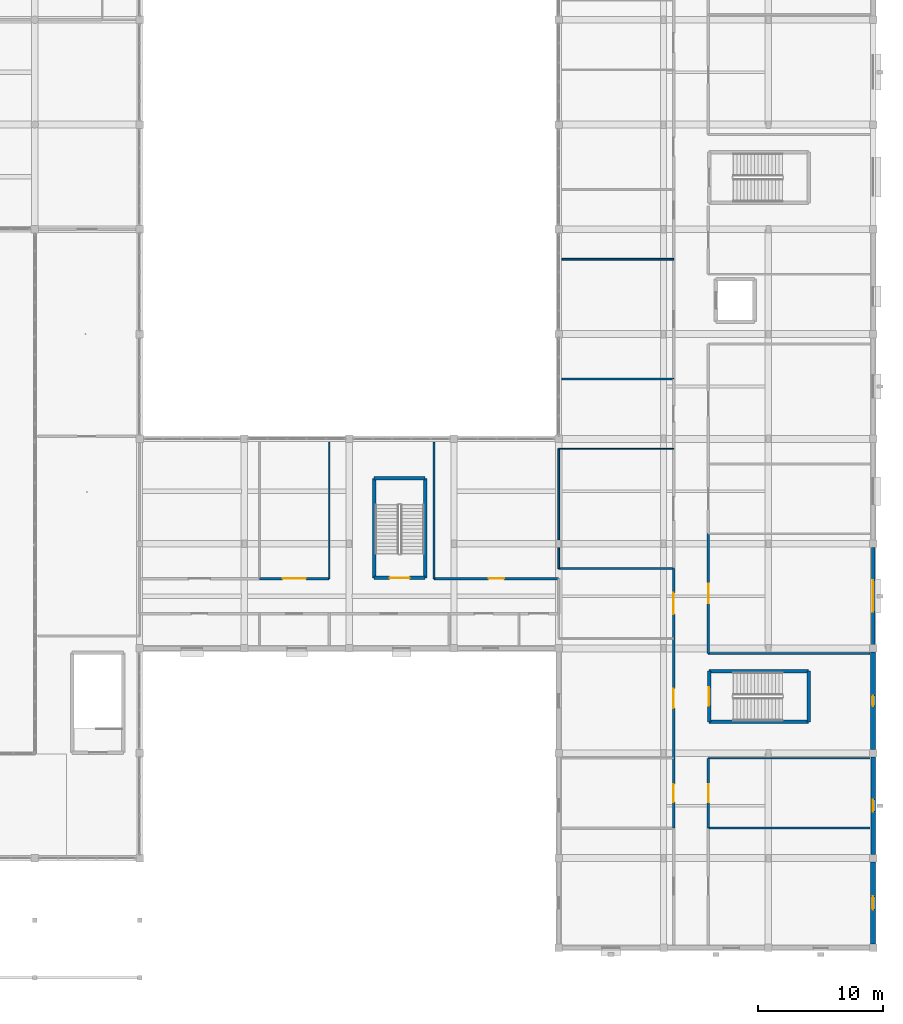
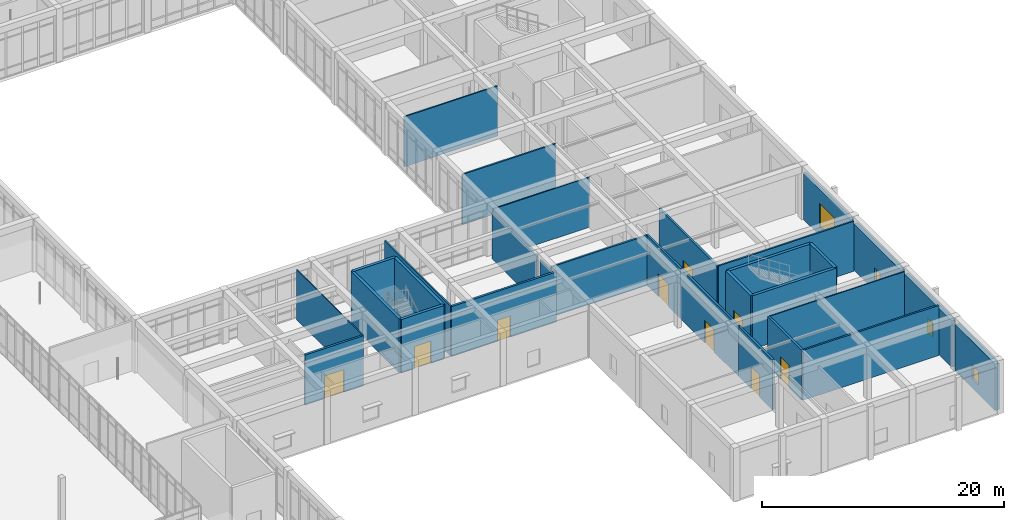
# One storey, part 90 of 157: 30 walls, 9 doors, 4 windows, 13 openings.
"""IFC4 building model written with IfcOpenShell, lengths in metres."""

import ifcopenshell
import ifcopenshell.guid

model = None  # the IFC model being written
_history = None  # IfcOwnerHistory: only IFC2X3 demands one
_inside = {}  # id of a spatial element -> (the spatial element, [elements in it])
_under = {}  # id of a project, library or spatial element -> (it, [spatial elements below it])
_declared = {}  # id of a project -> (the project, [libraries it declares])
_typed = {}  # id of a type object -> (the type object, [elements of that type])
_made_of = {}  # id of a material, layer set ... -> (it, [elements and type objects made of it])


def new_model(schema):
    """Start an empty IFC model of exactly this schema.

    Asked for "IFC4X3", IfcOpenShell would pick the latest addendum, in which some entities
    have other attributes; the version numbers below select the first issue.
    IFC2X3 requires an IfcOwnerHistory on every rooted entity: one is made here for all.
    """
    global model, _history
    if schema == "IFC4X3":
        model = ifcopenshell.file(schema_version=(4, 3, 0, 0))
    else:
        model = ifcopenshell.file(schema=schema)
    _inside.clear()
    _under.clear()
    _declared.clear()
    _typed.clear()
    _made_of.clear()
    _history = None
    if model.schema == "IFC2X3":
        org = make("IfcOrganization", Name="unknown")
        user = make(
            "IfcPersonAndOrganization",
            ThePerson=make("IfcPerson", FamilyName="unknown"),
            TheOrganization=org,
        )
        app = make(
            "IfcApplication",
            ApplicationDeveloper=org,
            Version="unknown",
            ApplicationFullName="unknown",
            ApplicationIdentifier="unknown",
        )
        _history = make(
            "IfcOwnerHistory",
            OwningUser=user,
            OwningApplication=app,
            ChangeAction="ADDED",
            CreationDate=0,
        )
    return model


def make(cls, **values):
    """One entity of the class cls with the attributes given. An attribute that is None is left unset."""
    return model.create_entity(
        cls, **{name: value for name, value in values.items() if value is not None}
    )


def rooted(cls, **values):
    """An entity with a GlobalId (a new one), such as an element, a storey or a relation."""
    return make(cls, GlobalId=ifcopenshell.guid.new(), OwnerHistory=_history, **values)


def si_unit(unit_type, name, prefix=None):
    """IfcSIUnit, for example si_unit("LENGTHUNIT", "METRE", prefix="MILLI")."""
    return make("IfcSIUnit", UnitType=unit_type, Prefix=prefix, Name=name)


def assignment(units):
    """IfcUnitAssignment: the units of a project."""
    return None if units is None else make("IfcUnitAssignment", Units=units)


def point(xyz):
    """IfcCartesianPoint."""
    return None if xyz is None else make("IfcCartesianPoint", Coordinates=xyz)


def direction(xyz):
    """IfcDirection."""
    return None if xyz is None else make("IfcDirection", DirectionRatios=xyz)


def frame(location, z_axis=None, x_axis=None):
    """IfcAxis2Placement3D, a coordinate frame: its origin and axes. An axis left out is left unset."""
    return make(
        "IfcAxis2Placement3D",
        Location=point(location),
        Axis=direction(z_axis),
        RefDirection=direction(x_axis),
    )


def frame_2d(location, x_axis=None):
    """IfcAxis2Placement2D, a coordinate frame in the plane: its origin and x axis."""
    return make(
        "IfcAxis2Placement2D", Location=point(location), RefDirection=direction(x_axis)
    )


def origin():
    """The frame at (0, 0, 0) with its axes left unset."""
    return frame((0.0, 0.0, 0.0))


def place(relative_to, where):
    """IfcLocalPlacement: puts the frame where relative to a parent placement (None: the world)."""
    return make(
        "IfcLocalPlacement", PlacementRelTo=relative_to, RelativePlacement=where
    )


def context(
    kind, dimensions, precision=None, world=None, true_north=None, identifier=None
):
    """IfcGeometricRepresentationContext, for example the 3D "Model" context."""
    return make(
        "IfcGeometricRepresentationContext",
        ContextIdentifier=identifier,
        ContextType=kind,
        CoordinateSpaceDimension=dimensions,
        Precision=precision,
        WorldCoordinateSystem=world,
        TrueNorth=true_north,
    )


def subcontext(parent, identifier, kind, view, scale=None):
    """IfcGeometricRepresentationSubContext, for example "Body" below "Model"."""
    return make(
        "IfcGeometricRepresentationSubContext",
        ContextIdentifier=identifier,
        ContextType=kind,
        ParentContext=parent,
        TargetScale=scale,
        TargetView=view,
    )


def project(units=None, contexts=None):
    """IfcProject with its units and contexts."""
    return rooted(
        "IfcProject",
        Name="project",
        RepresentationContexts=contexts,
        UnitsInContext=assignment(units),
    )


def spatial(cls, under=None, at=None, **own):
    """A site, building, storey or space (cls), placed at a placement, below another one or the project."""
    s = rooted(cls, ObjectPlacement=at, **own)
    if under is not None:
        _under.setdefault(under.id(), (under, []))[1].append(s)
    return s


def profile(cls, at=None, kind="AREA", **sizes):
    """A parametric profile (cls). Its sizes go by their IFC names, for example OverallWidth=200.0."""
    return make(cls, ProfileType=kind, Position=at, **sizes)


def rectangle(**sizes):
    """IfcRectangleProfileDef."""
    return profile("IfcRectangleProfileDef", **sizes)


def extrude(swept, where, along, depth):
    """IfcExtrudedAreaSolid: the profile swept, set in the frame where, extruded along a direction by depth."""
    return make(
        "IfcExtrudedAreaSolid",
        SweptArea=swept,
        Position=where,
        ExtrudedDirection=direction(along),
        Depth=depth,
    )


def shape(context_of_items, identifier, shape_type, items):
    """IfcShapeRepresentation: the items that make up one representation, for example the "Body"."""
    return make(
        "IfcShapeRepresentation",
        ContextOfItems=context_of_items,
        RepresentationIdentifier=identifier,
        RepresentationType=shape_type,
        Items=items,
    )


def material(Name=None, Category=None):
    """IfcMaterial."""
    return make("IfcMaterial", Name=Name, Category=Category)


def layer(
    of_material, thickness, ventilated=None, Name=None, Category=None, Priority=None
):
    """IfcMaterialLayer: one layer of a wall or slab, of a material (None: an air gap)."""
    return make(
        "IfcMaterialLayer",
        Material=of_material,
        LayerThickness=thickness,
        IsVentilated=ventilated,
        Name=Name,
        Category=Category,
        Priority=Priority,
    )


def layer_set(layers, Name=None):
    """IfcMaterialLayerSet."""
    return make("IfcMaterialLayerSet", MaterialLayers=layers, LayerSetName=Name)


def made_of(thing, what):
    """Note that an element or type object is made of a material, layer set ...; save() writes the relation."""
    if what is not None:
        _made_of.setdefault(what.id(), (what, []))[1].append(thing)
    return thing


def type_object(cls, material=None, **own):
    """A type object (cls), such as IfcWallType, which elements share."""
    return made_of(rooted(cls, **own), material)


def element(
    cls,
    number,
    at=None,
    inside=None,
    cuts=None,
    type_object=None,
    material=None,
    context=None,
    identifier="Body",
    shape_type=None,
    held_by="IfcProductDefinitionShape",
    body=None,
    shapes=None,
    **own,
):
    """One element of the class cls, such as IfcWall. Its Tag is "e" and its number.

    at: its placement. inside: the storey or other place that contains it. cuts: it is an
    opening in that element (IfcRelVoidsElement). A single representation is given by context,
    identifier, shape_type and body (its items); several are given by shapes. held_by: the class
    of the entity that holds the representations. save() writes the other relations.
    """
    e = rooted(cls, Tag="e%d" % number, ObjectPlacement=at, **own)
    if body is not None:
        shapes = [shape(context, identifier, shape_type, body)]
    if shapes is not None:
        e.Representation = make(held_by, Representations=shapes)
    if inside is not None:
        _inside.setdefault(inside.id(), (inside, []))[1].append(e)
    if cuts is not None:
        rooted(
            "IfcRelVoidsElement", RelatingBuildingElement=cuts, RelatedOpeningElement=e
        )
    if type_object is not None:
        _typed.setdefault(type_object.id(), (type_object, []))[1].append(e)
    return made_of(e, material)


def fill(opening, filler):
    """IfcRelFillsElement: the door or window that sits in an opening."""
    return rooted(
        "IfcRelFillsElement",
        RelatingOpeningElement=opening,
        RelatedBuildingElement=filler,
    )


def aggregate(whole, parts):
    """IfcRelAggregates: a whole, such as a stair, and the parts it consists of."""
    return rooted("IfcRelAggregates", RelatingObject=whole, RelatedObjects=parts)


def save(model, path):
    """Write the relations noted so far, then the file.

    IfcRelAggregates (storeys below a building ...), IfcRelContainedInSpatialStructure (elements
    in a storey), IfcRelDefinesByType, IfcRelAssociatesMaterial and IfcRelDeclares: one each for
    every whole, place, type object, material and project.
    """
    for whole, parts in _under.values():
        aggregate(whole, parts)
    for where, things in _inside.values():
        rooted(
            "IfcRelContainedInSpatialStructure",
            RelatedElements=things,
            RelatingStructure=where,
        )
    for kind, things in _typed.values():
        rooted("IfcRelDefinesByType", RelatedObjects=things, RelatingType=kind)
    for what, things in _made_of.values():
        rooted("IfcRelAssociatesMaterial", RelatedObjects=things, RelatingMaterial=what)
    for by, libraries in _declared.values():
        rooted("IfcRelDeclares", RelatingContext=by, RelatedDefinitions=libraries)
    model.write(path)


model = new_model("IFC4")

# Units and contexts
model_context = context("Model", 3, precision=1e-05, world=origin(), true_north=direction((0.0, 1.0)))
body_context = subcontext(model_context, "Body", "Model", "MODEL_VIEW")
ifc_project = project(units=[si_unit("LENGTHUNIT", "METRE"), si_unit("AREAUNIT", "SQUARE_METRE"), si_unit("VOLUMEUNIT", "CUBIC_METRE"), si_unit("PLANEANGLEUNIT", "RADIAN"), si_unit("MASSUNIT", "GRAM", prefix="KILO")], contexts=[model_context])

# Site, building, storey
site_placement = place(None, origin())
site = spatial("IfcSite", under=ifc_project, at=site_placement, CompositionType="ELEMENT")
building_placement = place(site_placement, origin())
building = spatial("IfcBuilding", under=site, at=building_placement, Name="Varncliffe General Hospital", CompositionType="ELEMENT")
storey_placement = place(building_placement, frame((0.0, 0.0, 5.39990234375)))
storey = spatial("IfcBuildingStorey", under=building, at=storey_placement, Name="L01", CompositionType="ELEMENT", Elevation=5.39990234375)

# Wall, opening, window
ifc_material_1 = material(Name="Precast concrete C40/50 with insulated cream lime-cement stucco", Category="concrete")
ifc_layer_1 = layer(ifc_material_1, 0.3798828125)
ifc_layer_set_1 = layer_set([ifc_layer_1], Name="Precast concrete C40/50 with insulated cream lime-cement stucco")
wall_type_1 = type_object("IfcWallType", Name="Exterior Insulated Stucco Wall EW26 (380mm)", PredefinedType="SOLIDWALL", material=ifc_layer_set_1)
wall_1_placement = place(storey_placement, frame((176.39990234375, 23.701904296875, 0.0), z_axis=(0.0, 0.0, 1.0), x_axis=(0.0, -1.0, 0.0)))
wall_1 = element("IfcWall", 1, at=wall_1_placement, inside=storey, type_object=wall_type_1, Name="L01 Exterior Stucco Wall EW26-150", PredefinedType="SOLIDWALL", context=body_context, shape_type="SweptSolid", body=[
    extrude(rectangle(XDim=7.803955078125, YDim=0.3798828125, at=frame_2d((3.90185546875, 0.0))), origin(), (0.0, 0.0, 1.0), 4.68017578125),
])
opening_1_placement = place(wall_1_placement, frame((3.47705078125, 0.0, 0.89990234375)))
opening_1 = element("IfcOpeningElement", 2, at=opening_1_placement, cuts=wall_1, Name="Opening WN77", PredefinedType="OPENING", context=body_context, shape_type="SweptSolid", body=[
    extrude(rectangle(XDim=0.85009765625, YDim=1.39990234375, at=frame_2d((0.425048828125, 0.699951171875))), frame((0.0, 0.199951171875, 0.0), z_axis=(0.0, -1.0, 0.0), x_axis=(1.0, 0.0, 0.0)), (0.0, 0.0, 1.0), 0.39990234375),
])
ifc_material_2 = material(Name="Triple low-E argon insulated vision glazing", Category="glass")
window_type_1 = type_object("IfcWindowType", Name="Triple-Glazed Hospital Window WN77 (850x1400)", PartitioningType="SINGLE_PANEL", PredefinedType="WINDOW", material=ifc_material_2)
window_1_placement = place(opening_1_placement, origin())
window_1 = element("IfcWindow", 3, at=window_1_placement, inside=storey, type_object=window_type_1, Name="L01 Hospital Window WN77-89", OverallHeight=1.39990234375, OverallWidth=0.85009765625, PartitioningType="SINGLE_PANEL", PredefinedType="WINDOW", context=body_context, shape_type="SweptSolid", body=[
    extrude(rectangle(XDim=0.85009765625, YDim=1.39990234375, at=frame_2d((0.425048828125, 0.699951171875))), frame((0.0, 0.030029296875, 0.0), z_axis=(0.0, -1.0, 0.0), x_axis=(1.0, 0.0, 0.0)), (0.0, 0.0, 1.0), 0.06005859375),
])
fill(opening_1, window_1)

ifc_layer_2 = layer(ifc_material_1, 0.2900390625)
ifc_layer_set_2 = layer_set([ifc_layer_2], Name="Precast concrete C40/50 with insulated cream lime-cement stucco")
wall_type_2 = type_object("IfcWallType", Name="Exterior Insulated Stucco Wall EW31 (290mm)", PredefinedType="SOLIDWALL", material=ifc_layer_set_2)
wall_2_placement = place(storey_placement, frame((176.39990234375, 32.10205078125, 0.0), z_axis=(0.0, 0.0, 1.0), x_axis=(0.0, -1.0, 0.0)))
wall_2 = element("IfcWall", 4, at=wall_2_placement, inside=storey, type_object=wall_type_2, Name="L01 Exterior Stucco Wall EW31-149", PredefinedType="SOLIDWALL", context=body_context, shape_type="SweptSolid", body=[
    extrude(rectangle(XDim=7.803955078125, YDim=0.2900390625, at=frame_2d((3.90185546875, 0.0))), origin(), (0.0, 0.0, 1.0), 4.68017578125),
])
opening_2_placement = place(wall_2_placement, frame((2.652099609375, 0.0, 0.89990234375)))
opening_2 = element("IfcOpeningElement", 5, at=opening_2_placement, cuts=wall_2, Name="Opening WN80", PredefinedType="OPENING", context=body_context, shape_type="SweptSolid", body=[
    extrude(rectangle(XDim=2.5, YDim=2.35009765625, at=frame_2d((1.25, 1.175048828125))), frame((0.0, 0.155029296875, 0.0), z_axis=(0.0, -1.0, 0.0), x_axis=(1.0, 0.0, 0.0)), (0.0, 0.0, 1.0), 0.31005859375),
])
window_type_2 = type_object("IfcWindowType", Name="Triple-Glazed Hospital Window WN80 (2500x2350)", PartitioningType="DOUBLE_PANEL_VERTICAL", PredefinedType="WINDOW", material=ifc_material_2)
window_2_placement = place(opening_2_placement, origin())
window_2 = element("IfcWindow", 6, at=window_2_placement, inside=storey, type_object=window_type_2, Name="L01 Hospital Window WN80-88", OverallHeight=2.35009765625, OverallWidth=2.5, PartitioningType="DOUBLE_PANEL_VERTICAL", PredefinedType="WINDOW", context=body_context, shape_type="SweptSolid", body=[
    extrude(rectangle(XDim=2.5, YDim=2.35009765625, at=frame_2d((1.25, 1.175048828125))), frame((0.0, 0.030029296875, 0.0), z_axis=(0.0, -1.0, 0.0), x_axis=(1.0, 0.0, 0.0)), (0.0, 0.0, 1.0), 0.06005859375),
])
fill(opening_2, window_2)

ifc_layer_3 = layer(ifc_material_1, 0.35009765625)
ifc_layer_set_3 = layer_set([ifc_layer_3], Name="Precast concrete C40/50 with insulated cream lime-cement stucco")
wall_type_3 = type_object("IfcWallType", Name="Exterior Insulated Stucco Wall EW37 (350mm)", PredefinedType="SOLIDWALL", material=ifc_layer_set_3)
wall_3_placement = place(storey_placement, frame((176.39990234375, 15.302001953125, 0.0), z_axis=(0.0, 0.0, 1.0), x_axis=(0.0, -1.0, 0.0)))
wall_3 = element("IfcWall", 7, at=wall_3_placement, inside=storey, type_object=wall_type_3, Name="L01 Exterior Stucco Wall EW37-151", PredefinedType="SOLIDWALL", context=body_context, shape_type="SweptSolid", body=[
    extrude(rectangle(XDim=7.803955078125, YDim=0.35009765625, at=frame_2d((3.90185546875, 0.0))), origin(), (0.0, 0.0, 1.0), 4.68017578125),
])
opening_3_placement = place(wall_3_placement, frame((3.427001953125, 0.0, 0.89990234375)))
opening_3 = element("IfcOpeningElement", 8, at=opening_3_placement, cuts=wall_3, Name="Opening WN39", PredefinedType="OPENING", context=body_context, shape_type="SweptSolid", body=[
    extrude(rectangle(XDim=0.949951171875, YDim=1.39990234375, at=frame_2d((0.47509765625, 0.699951171875))), frame((0.0, 0.18505859375, 0.0), z_axis=(0.0, -1.0, 0.0), x_axis=(1.0, 0.0, 0.0)), (0.0, 0.0, 1.0), 0.3701171875),
])
window_type_3 = type_object("IfcWindowType", Name="Triple-Glazed Hospital Window WN39 (950x1400)", PartitioningType="SINGLE_PANEL", PredefinedType="WINDOW", material=ifc_material_2)
window_3_placement = place(opening_3_placement, origin())
window_3 = element("IfcWindow", 9, at=window_3_placement, inside=storey, type_object=window_type_3, Name="L01 Hospital Window WN39-90", OverallHeight=1.39990234375, OverallWidth=0.949951171875, PartitioningType="SINGLE_PANEL", PredefinedType="WINDOW", context=body_context, shape_type="SweptSolid", body=[
    extrude(rectangle(XDim=0.949951171875, YDim=1.39990234375, at=frame_2d((0.47509765625, 0.699951171875))), frame((0.0, 0.030029296875, 0.0), z_axis=(0.0, -1.0, 0.0), x_axis=(1.0, 0.0, 0.0)), (0.0, 0.0, 1.0), 0.06005859375),
])
fill(opening_3, window_3)

ifc_layer_4 = layer(ifc_material_1, 0.39990234375)
ifc_layer_set_4 = layer_set([ifc_layer_4], Name="Precast concrete C40/50 with insulated cream lime-cement stucco")
wall_type_4 = type_object("IfcWallType", Name="Exterior Insulated Stucco Wall EW47 (400mm)", PredefinedType="SOLIDWALL", material=ifc_layer_set_4)
wall_4_placement = place(storey_placement, frame((176.39990234375, 6.902099609375, 0.0), z_axis=(0.0, 0.0, 1.0), x_axis=(0.0, -1.0, 0.0)))
wall_4 = element("IfcWall", 10, at=wall_4_placement, inside=storey, type_object=wall_type_4, Name="L01 Exterior Stucco Wall EW47-152", PredefinedType="SOLIDWALL", context=body_context, shape_type="SweptSolid", body=[
    extrude(rectangle(XDim=6.60400390625, YDim=0.39990234375, at=frame_2d((3.302001953125, 0.0))), origin(), (0.0, 0.0, 1.0), 4.68017578125),
])
opening_4_placement = place(wall_4_placement, frame((2.777099609375, 0.0, 0.89990234375)))
opening_4 = element("IfcOpeningElement", 11, at=opening_4_placement, cuts=wall_4, Name="Opening WN68", PredefinedType="OPENING", context=body_context, shape_type="SweptSolid", body=[
    extrude(rectangle(XDim=1.050048828125, YDim=1.39990234375, at=frame_2d((0.52490234375, 0.699951171875))), frame((0.0, 0.2099609375, 0.0), z_axis=(0.0, -1.0, 0.0), x_axis=(1.0, 0.0, 0.0)), (0.0, 0.0, 1.0), 0.419921875),
])
window_type_4 = type_object("IfcWindowType", Name="Triple-Glazed Hospital Window WN68 (1050x1400)", PartitioningType="SINGLE_PANEL", PredefinedType="WINDOW", material=ifc_material_2)
window_4_placement = place(opening_4_placement, origin())
window_4 = element("IfcWindow", 12, at=window_4_placement, inside=storey, type_object=window_type_4, Name="L01 Hospital Window WN68-91", OverallHeight=1.39990234375, OverallWidth=1.050048828125, PartitioningType="SINGLE_PANEL", PredefinedType="WINDOW", context=body_context, shape_type="SweptSolid", body=[
    extrude(rectangle(XDim=1.050048828125, YDim=1.39990234375, at=frame_2d((0.52490234375, 0.699951171875))), frame((0.0, 0.030029296875, 0.0), z_axis=(0.0, -1.0, 0.0), x_axis=(1.0, 0.0, 0.0)), (0.0, 0.0, 1.0), 0.06005859375),
])
fill(opening_4, window_4)

# Walls
ifc_material_3 = material(Name="Acoustic clinical gypsum stud partition assembly", Category="gypsum")
ifc_layer_5 = layer(ifc_material_3, 0.1298828125)
ifc_layer_set_5 = layer_set([ifc_layer_5], Name="Acoustic clinical gypsum stud partition assembly")
wall_type_5 = type_object("IfcWallType", Name="Interior Partitioning IW11 (130mm)", PredefinedType="PARTITIONING", material=ifc_layer_set_5)
wall_5_placement = place(storey_placement, frame((151.4599609375, 55.199951171875, 0.0), z_axis=(0.0, 0.0, 1.0), x_axis=(1.0, 0.0, 0.0)))
element("IfcWall", 13, at=wall_5_placement, inside=storey, type_object=wall_type_5, Name="L01 Interior Partition Wall IW11-473", PredefinedType="PARTITIONING", context=body_context, shape_type="SweptSolid", body=[
    extrude(rectangle(XDim=8.93994140625, YDim=0.1298828125, at=frame_2d((4.469970703125, 0.0))), origin(), (0.0, 0.0, 1.0), 5.050048828125),
])
wall_6_placement = place(storey_placement, frame((141.199951171875, 29.60009765625, 0.0), z_axis=(0.0, 0.0, 1.0), x_axis=(0.0, 1.0, 0.0)))
element("IfcWall", 14, at=wall_6_placement, inside=storey, type_object=wall_type_5, Name="L01 Interior Partition Wall IW11-828", PredefinedType="PARTITIONING", context=body_context, shape_type="SweptSolid", body=[
    extrude(rectangle(XDim=10.93994140625, YDim=0.1298828125, at=frame_2d((5.469970703125, 0.0))), origin(), (0.0, 0.0, 1.0), 5.050048828125),
])
ifc_layer_6 = layer(ifc_material_3, 0.169921875)
ifc_layer_set_6 = layer_set([ifc_layer_6], Name="Acoustic clinical gypsum stud partition assembly")
wall_type_6 = type_object("IfcWallType", Name="Interior Partitioning IW20 (170mm)", PredefinedType="PARTITIONING", material=ifc_layer_set_6)
wall_7_placement = place(storey_placement, frame((163.199951171875, 9.60009765625, 0.0), z_axis=(0.0, 0.0, 1.0), x_axis=(1.0, 0.0, 0.0)))
element("IfcWall", 15, at=wall_7_placement, inside=storey, type_object=wall_type_6, Name="L01 Interior Partition Wall IW20-425", PredefinedType="PARTITIONING", context=body_context, shape_type="SweptSolid", body=[
    extrude(rectangle(XDim=12.93994140625, YDim=0.169921875, at=frame_2d((6.469970703125, 0.0))), origin(), (0.0, 0.0, 1.0), 5.050048828125),
])
wall_8_placement = place(storey_placement, frame((151.199951171875, 30.39990234375, 0.0), z_axis=(0.0, 0.0, 1.0), x_axis=(1.0, 0.0, 0.0)))
element("IfcWall", 16, at=wall_8_placement, inside=storey, type_object=wall_type_6, Name="L01 Interior Partition Wall IW20-455", PredefinedType="PARTITIONING", context=body_context, shape_type="SweptSolid", body=[
    extrude(rectangle(XDim=9.199951171875, YDim=0.169921875, at=frame_2d((4.60009765625, 0.0))), origin(), (0.0, 0.0, 1.0), 5.050048828125),
])
ifc_layer_7 = layer(ifc_material_3, 0.14990234375)
ifc_layer_set_7 = layer_set([ifc_layer_7], Name="Acoustic clinical gypsum stud partition assembly")
wall_type_7 = type_object("IfcWallType", Name="Interior Partitioning IW35 (150mm)", PredefinedType="PARTITIONING", material=ifc_layer_set_7)
wall_9_placement = place(storey_placement, frame((163.199951171875, 23.60009765625, 0.0), z_axis=(0.0, 0.0, 1.0), x_axis=(1.0, 0.0, 0.0)))
element("IfcWall", 17, at=wall_9_placement, inside=storey, type_object=wall_type_7, Name="L01 Interior Partition Wall IW35-429", PredefinedType="PARTITIONING", context=body_context, shape_type="SweptSolid", body=[
    extrude(rectangle(XDim=12.93994140625, YDim=0.14990234375, at=frame_2d((6.469970703125, 0.0))), origin(), (0.0, 0.0, 1.0), 5.050048828125),
])
wall_10_placement = place(storey_placement, frame((151.4599609375, 45.60009765625, 0.0), z_axis=(0.0, 0.0, 1.0), x_axis=(1.0, 0.0, 0.0)))
element("IfcWall", 18, at=wall_10_placement, inside=storey, type_object=wall_type_7, Name="L01 Interior Partition Wall IW35-469", PredefinedType="PARTITIONING", context=body_context, shape_type="SweptSolid", body=[
    extrude(rectangle(XDim=8.93994140625, YDim=0.14990234375, at=frame_2d((4.469970703125, 0.0))), origin(), (0.0, 0.0, 1.0), 5.050048828125),
])
wall_11_placement = place(storey_placement, frame((151.199951171875, 32.715087890625, 0.0), z_axis=(0.0, 0.0, 1.0), x_axis=(0.0, 1.0, 0.0)))
element("IfcWall", 19, at=wall_11_placement, inside=storey, type_object=wall_type_7, Name="L01 Interior Partition Wall IW35-844", PredefinedType="PARTITIONING", context=body_context, shape_type="SweptSolid", body=[
    extrude(rectangle(XDim=7.284912109375, YDim=0.14990234375, at=frame_2d((3.642578125, 0.0))), origin(), (0.0, 0.0, 1.0), 4.735107421875),
])
wall_12_placement = place(storey_placement, frame((151.199951171875, 30.39990234375, 0.0), z_axis=(0.0, 0.0, 1.0), x_axis=(0.0, 1.0, 0.0)))
element("IfcWall", 20, at=wall_12_placement, inside=storey, type_object=wall_type_7, Name="L01 Interior Partition Wall IW35-845", PredefinedType="PARTITIONING", context=body_context, shape_type="SweptSolid", body=[
    extrude(rectangle(XDim=1.68505859375, YDim=0.14990234375, at=frame_2d((0.842529296875, 0.0))), origin(), (0.0, 0.0, 1.0), 4.735107421875),
])
ifc_layer_8 = layer(ifc_material_3, 0.090087890625)
ifc_layer_set_8 = layer_set([ifc_layer_8], Name="Acoustic clinical gypsum stud partition assembly")
wall_type_8 = type_object("IfcWallType", Name="Interior Partitioning IW42 (90mm)", PredefinedType="PARTITIONING", material=ifc_layer_set_8)
wall_13_placement = place(storey_placement, frame((151.199951171875, 40.0, 0.0), z_axis=(0.0, 0.0, 1.0), x_axis=(1.0, 0.0, 0.0)))
element("IfcWall", 21, at=wall_13_placement, inside=storey, type_object=wall_type_8, Name="L01 Interior Partition Wall IW42-461", PredefinedType="PARTITIONING", context=body_context, shape_type="SweptSolid", body=[
    extrude(rectangle(XDim=9.199951171875, YDim=0.090087890625, at=frame_2d((4.60009765625, 0.0))), origin(), (0.0, 0.0, 1.0), 5.050048828125),
])
wall_14_placement = place(storey_placement, frame((132.800048828125, 29.60009765625, 0.0), z_axis=(0.0, 0.0, 1.0), x_axis=(0.0, 1.0, 0.0)))
element("IfcWall", 22, at=wall_14_placement, inside=storey, type_object=wall_type_8, Name="L01 Interior Partition Wall IW42-821", PredefinedType="PARTITIONING", context=body_context, shape_type="SweptSolid", body=[
    extrude(rectangle(XDim=10.93994140625, YDim=0.090087890625, at=frame_2d((5.469970703125, 0.0))), origin(), (0.0, 0.0, 1.0), 5.050048828125),
])
ifc_layer_9 = layer(ifc_material_3, 0.110107421875)
ifc_layer_set_9 = layer_set([ifc_layer_9], Name="Acoustic clinical gypsum stud partition assembly")
wall_type_9 = type_object("IfcWallType", Name="Interior Partitioning IW65 (110mm)", PredefinedType="PARTITIONING", material=ifc_layer_set_9)
wall_15_placement = place(storey_placement, frame((163.199951171875, 15.199951171875, 0.0), z_axis=(0.0, 0.0, 1.0), x_axis=(1.0, 0.0, 0.0)))
element("IfcWall", 23, at=wall_15_placement, inside=storey, type_object=wall_type_9, Name="L01 Interior Partition Wall IW65-427", PredefinedType="PARTITIONING", context=body_context, shape_type="SweptSolid", body=[
    extrude(rectangle(XDim=12.93994140625, YDim=0.110107421875, at=frame_2d((6.469970703125, 0.0))), origin(), (0.0, 0.0, 1.0), 5.050048828125),
])

# Wall, opening, door
ifc_material_4 = material(Name="Fire-rated gypsum and mineral-wool partition assembly", Category="gypsum")
ifc_layer_10 = layer(ifc_material_4, 0.199951171875)
ifc_layer_set_10 = layer_set([ifc_layer_10], Name="Fire-rated gypsum and mineral-wool partition assembly")
wall_type_10 = type_object("IfcWallType", Name="Interior Partitioning PW63 (200mm)", PredefinedType="PARTITIONING", material=ifc_layer_set_10)
wall_16_placement = place(storey_placement, frame((127.199951171875, 29.60009765625, 0.0), z_axis=(0.0, 0.0, 1.0), x_axis=(1.0, 0.0, 0.0)))
wall_16 = element("IfcWall", 24, at=wall_16_placement, inside=storey, type_object=wall_type_10, Name="L01 Interior Partition Wall PW63-453", PredefinedType="PARTITIONING", context=body_context, shape_type="SweptSolid", body=[
    extrude(rectangle(XDim=5.60009765625, YDim=0.199951171875, at=frame_2d((2.800048828125, 0.0))), origin(), (0.0, 0.0, 1.0), 5.050048828125),
])
opening_5_placement = place(wall_16_placement, frame((1.875, 0.0, 0.0)))
opening_5 = element("IfcOpeningElement", 25, at=opening_5_placement, cuts=wall_16, Name="Opening DC38", PredefinedType="OPENING", context=body_context, shape_type="SweptSolid", body=[
    extrude(rectangle(XDim=1.85009765625, YDim=2.300048828125, at=frame_2d((0.925048828125, 1.14990234375))), frame((0.0, 0.10986328125, 0.0), z_axis=(0.0, -1.0, 0.0), x_axis=(1.0, 0.0, 0.0)), (0.0, 0.0, 1.0), 0.219970703125),
])
ifc_material_5 = material(Name="Fire-rated hospital steel-frame vision-panel door", Category="steel")
door_type_1 = type_object("IfcDoorType", Name="Interior Hospital Door DC38 (1850x2300)", OperationType="NOTDEFINED", PredefinedType="DOOR", material=ifc_material_5)
door_1_placement = place(opening_5_placement, origin())
door_1 = element("IfcDoor", 26, at=door_1_placement, inside=storey, type_object=door_type_1, Name="L01 Specialist ENT and Ophthalmology Clinic 124 Door", OperationType="SINGLE_SWING_RIGHT", OverallHeight=2.300048828125, OverallWidth=1.85009765625, PredefinedType="DOOR", context=body_context, shape_type="SweptSolid", body=[
    extrude(rectangle(XDim=1.85009765625, YDim=2.300048828125, at=frame_2d((0.925048828125, 1.14990234375))), frame((0.0, 0.02490234375, 0.0), z_axis=(0.0, -1.0, 0.0), x_axis=(1.0, 0.0, 0.0)), (0.0, 0.0, 1.0), 0.050048828125),
])
fill(opening_5, door_1)

wall_17_placement = place(storey_placement, frame((141.199951171875, 29.60009765625, 0.0), z_axis=(0.0, 0.0, 1.0), x_axis=(1.0, 0.0, 0.0)))
wall_17 = element("IfcWall", 27, at=wall_17_placement, inside=storey, type_object=wall_type_10, Name="L01 Interior Partition Wall PW63-454", PredefinedType="PARTITIONING", context=body_context, shape_type="SweptSolid", body=[
    extrude(rectangle(XDim=10.0, YDim=0.199951171875, at=frame_2d((5.0, 0.0))), origin(), (0.0, 0.0, 1.0), 5.050048828125),
])
opening_6_placement = place(wall_17_placement, frame((4.375, 0.0, 0.0)))
opening_6 = element("IfcOpeningElement", 28, at=opening_6_placement, cuts=wall_17, Name="Opening DC44", PredefinedType="OPENING", context=body_context, shape_type="SweptSolid", body=[
    extrude(rectangle(XDim=1.25, YDim=2.14990234375, at=frame_2d((0.625, 1.074951171875))), frame((0.0, 0.10986328125, 0.0), z_axis=(0.0, -1.0, 0.0), x_axis=(1.0, 0.0, 0.0)), (0.0, 0.0, 1.0), 0.219970703125),
])
door_type_2 = type_object("IfcDoorType", Name="Interior Hospital Door DC44 (1250x2150)", OperationType="NOTDEFINED", PredefinedType="DOOR", material=ifc_material_5)
door_2_placement = place(opening_6_placement, origin())
door_2 = element("IfcDoor", 29, at=door_2_placement, inside=storey, type_object=door_type_2, Name="L01 Hydrotherapy and Occupational Rehab Suite 125 Door", OperationType="SINGLE_SWING_LEFT", OverallHeight=2.14990234375, OverallWidth=1.25, PredefinedType="DOOR", context=body_context, shape_type="SweptSolid", body=[
    extrude(rectangle(XDim=1.25, YDim=2.14990234375, at=frame_2d((0.625, 1.074951171875))), frame((0.0, 0.02490234375, 0.0), z_axis=(0.0, -1.0, 0.0), x_axis=(1.0, 0.0, 0.0)), (0.0, 0.0, 1.0), 0.050048828125),
])
fill(opening_6, door_2)

wall_18_placement = place(storey_placement, frame((160.39990234375, 9.60009765625, 0.0), z_axis=(0.0, 0.0, 1.0), x_axis=(0.0, 1.0, 0.0)))
wall_18 = element("IfcWall", 30, at=wall_18_placement, inside=storey, type_object=wall_type_10, Name="L01 Interior Partition Wall PW63-862", PredefinedType="PARTITIONING", context=body_context, shape_type="SweptSolid", body=[
    extrude(rectangle(XDim=5.599853515625, YDim=0.199951171875, at=frame_2d((2.7998046875, 0.0))), origin(), (0.0, 0.0, 1.0), 5.050048828125),
])
opening_7_placement = place(wall_18_placement, frame((2.074951171875, 0.0, 0.0)))
opening_7 = element("IfcOpeningElement", 31, at=opening_7_placement, cuts=wall_18, Name="Opening DC66", PredefinedType="OPENING", context=body_context, shape_type="SweptSolid", body=[
    extrude(rectangle(XDim=1.449951171875, YDim=2.25, at=frame_2d((0.72509765625, 1.125))), frame((0.0, 0.10986328125, 0.0), z_axis=(0.0, -1.0, 0.0), x_axis=(1.0, 0.0, 0.0)), (0.0, 0.0, 1.0), 0.219970703125),
])
door_type_3 = type_object("IfcDoorType", Name="Interior Hospital Door DC66 (1450x2250)", OperationType="NOTDEFINED", PredefinedType="DOOR", material=ifc_material_5)
door_3_placement = place(opening_7_placement, origin())
door_3 = element("IfcDoor", 32, at=door_3_placement, inside=storey, type_object=door_type_3, Name="L01 Specialist ENT and Ophthalmology Clinic 105 Door", OperationType="SINGLE_SWING_LEFT", OverallHeight=2.25, OverallWidth=1.449951171875, PredefinedType="DOOR", context=body_context, shape_type="SweptSolid", body=[
    extrude(rectangle(XDim=1.449951171875, YDim=2.25, at=frame_2d((0.72509765625, 1.125))), frame((0.0, 0.02490234375, 0.0), z_axis=(0.0, -1.0, 0.0), x_axis=(1.0, 0.0, 0.0)), (0.0, 0.0, 1.0), 0.050048828125),
])
fill(opening_7, door_3)

wall_19_placement = place(storey_placement, frame((160.39990234375, 15.199951171875, 0.0), z_axis=(0.0, 0.0, 1.0), x_axis=(0.0, 1.0, 0.0)))
wall_19 = element("IfcWall", 33, at=wall_19_placement, inside=storey, type_object=wall_type_10, Name="L01 Interior Partition Wall PW63-863", PredefinedType="PARTITIONING", context=body_context, shape_type="SweptSolid", body=[
    extrude(rectangle(XDim=9.60009765625, YDim=0.199951171875, at=frame_2d((4.800048828125, 0.0))), origin(), (0.0, 0.0, 1.0), 5.050048828125),
])
opening_8_placement = place(wall_19_placement, frame((4.02490234375, 0.0, 0.0)))
opening_8 = element("IfcOpeningElement", 34, at=opening_8_placement, cuts=wall_19, Name="Opening DC67", PredefinedType="OPENING", context=body_context, shape_type="SweptSolid", body=[
    extrude(rectangle(XDim=1.550048828125, YDim=2.25, at=frame_2d((0.77490234375, 1.125))), frame((0.0, 0.10986328125, 0.0), z_axis=(0.0, -1.0, 0.0), x_axis=(1.0, 0.0, 0.0)), (0.0, 0.0, 1.0), 0.219970703125),
])
door_type_4 = type_object("IfcDoorType", Name="Interior Hospital Door DC67 (1550x2250)", OperationType="NOTDEFINED", PredefinedType="DOOR", material=ifc_material_5)
door_4_placement = place(opening_8_placement, origin())
door_4 = element("IfcDoor", 35, at=door_4_placement, inside=storey, type_object=door_type_4, Name="L01 Hydrotherapy and Occupational Rehab Suite 106 Door", OperationType="SINGLE_SWING_RIGHT", OverallHeight=2.25, OverallWidth=1.550048828125, PredefinedType="DOOR", context=body_context, shape_type="SweptSolid", body=[
    extrude(rectangle(XDim=1.550048828125, YDim=2.25, at=frame_2d((0.77490234375, 1.125))), frame((0.0, 0.02490234375, 0.0), z_axis=(0.0, -1.0, 0.0), x_axis=(1.0, 0.0, 0.0)), (0.0, 0.0, 1.0), 0.050048828125),
])
fill(opening_8, door_4)

wall_20_placement = place(storey_placement, frame((160.39990234375, 24.800048828125, 0.0), z_axis=(0.0, 0.0, 1.0), x_axis=(0.0, 1.0, 0.0)))
wall_20 = element("IfcWall", 36, at=wall_20_placement, inside=storey, type_object=wall_type_10, Name="L01 Interior Partition Wall PW63-864", PredefinedType="PARTITIONING", context=body_context, shape_type="SweptSolid", body=[
    extrude(rectangle(XDim=5.599853515625, YDim=0.199951171875, at=frame_2d((2.7998046875, 0.0))), origin(), (0.0, 0.0, 1.0), 5.050048828125),
])
opening_9_placement = place(wall_20_placement, frame((1.949951171875, 0.0, 0.0)))
opening_9 = element("IfcOpeningElement", 37, at=opening_9_placement, cuts=wall_20, Name="Opening DC50", PredefinedType="OPENING", context=body_context, shape_type="SweptSolid", body=[
    extrude(rectangle(XDim=1.699951171875, YDim=2.300048828125, at=frame_2d((0.85009765625, 1.14990234375))), frame((0.0, 0.10986328125, 0.0), z_axis=(0.0, -1.0, 0.0), x_axis=(1.0, 0.0, 0.0)), (0.0, 0.0, 1.0), 0.219970703125),
])
door_type_5 = type_object("IfcDoorType", Name="Interior Hospital Door DC50 (1700x2300)", OperationType="NOTDEFINED", PredefinedType="DOOR", material=ifc_material_5)
door_5_placement = place(opening_9_placement, origin())
door_5 = element("IfcDoor", 38, at=door_5_placement, inside=storey, type_object=door_type_5, Name="L01 Specialist ENT and Ophthalmology Clinic 107 Door", OperationType="SINGLE_SWING_LEFT", OverallHeight=2.300048828125, OverallWidth=1.699951171875, PredefinedType="DOOR", context=body_context, shape_type="SweptSolid", body=[
    extrude(rectangle(XDim=1.699951171875, YDim=2.300048828125, at=frame_2d((0.85009765625, 1.14990234375))), frame((0.0, 0.02490234375, 0.0), z_axis=(0.0, -1.0, 0.0), x_axis=(1.0, 0.0, 0.0)), (0.0, 0.0, 1.0), 0.050048828125),
])
fill(opening_9, door_5)

wall_21_placement = place(storey_placement, frame((163.199951171875, 9.60009765625, 0.0), z_axis=(0.0, 0.0, 1.0), x_axis=(0.0, 1.0, 0.0)))
wall_21 = element("IfcWall", 39, at=wall_21_placement, inside=storey, type_object=wall_type_10, Name="L01 Interior Partition Wall PW63-876", PredefinedType="PARTITIONING", context=body_context, shape_type="SweptSolid", body=[
    extrude(rectangle(XDim=5.599853515625, YDim=0.199951171875, at=frame_2d((2.7998046875, 0.0))), origin(), (0.0, 0.0, 1.0), 5.050048828125),
])
opening_10_placement = place(wall_21_placement, frame((2.074951171875, 0.0, 0.0)))
opening_10 = element("IfcOpeningElement", 40, at=opening_10_placement, cuts=wall_21, Name="Opening DC66", PredefinedType="OPENING", context=body_context, shape_type="SweptSolid", body=[
    extrude(rectangle(XDim=1.449951171875, YDim=2.25, at=frame_2d((0.72509765625, 1.125))), frame((0.0, 0.10986328125, 0.0), z_axis=(0.0, -1.0, 0.0), x_axis=(1.0, 0.0, 0.0)), (0.0, 0.0, 1.0), 0.219970703125),
])
door_6_placement = place(opening_10_placement, frame((1.449951171875, 0.0, 0.0), z_axis=(0.0, 0.0, 1.0), x_axis=(-1.0, 0.0, 0.0)))
door_6 = element("IfcDoor", 41, at=door_6_placement, inside=storey, type_object=door_type_3, Name="L01 Specialist ENT and Ophthalmology Clinic 116 Door", OperationType="SINGLE_SWING_LEFT", OverallHeight=2.25, OverallWidth=1.449951171875, PredefinedType="DOOR", context=body_context, shape_type="SweptSolid", body=[
    extrude(rectangle(XDim=1.449951171875, YDim=2.25, at=frame_2d((0.72509765625, 1.125))), frame((0.0, 0.02490234375, 0.0), z_axis=(0.0, -1.0, 0.0), x_axis=(1.0, 0.0, 0.0)), (0.0, 0.0, 1.0), 0.050048828125),
])
fill(opening_10, door_6)

wall_22_placement = place(storey_placement, frame((163.199951171875, 23.60009765625, 0.0), z_axis=(0.0, 0.0, 1.0), x_axis=(0.0, 1.0, 0.0)))
wall_22 = element("IfcWall", 42, at=wall_22_placement, inside=storey, type_object=wall_type_10, Name="L01 Interior Partition Wall PW63-877", PredefinedType="PARTITIONING", context=body_context, shape_type="SweptSolid", body=[
    extrude(rectangle(XDim=9.599853515625, YDim=0.199951171875, at=frame_2d((4.7998046875, 0.0))), origin(), (0.0, 0.0, 1.0), 5.050048828125),
])
opening_11_placement = place(wall_22_placement, frame((4.02490234375, 0.0, 0.0)))
opening_11 = element("IfcOpeningElement", 43, at=opening_11_placement, cuts=wall_22, Name="Opening DC67", PredefinedType="OPENING", context=body_context, shape_type="SweptSolid", body=[
    extrude(rectangle(XDim=1.550048828125, YDim=2.25, at=frame_2d((0.77490234375, 1.125))), frame((0.0, 0.10986328125, 0.0), z_axis=(0.0, -1.0, 0.0), x_axis=(1.0, 0.0, 0.0)), (0.0, 0.0, 1.0), 0.219970703125),
])
door_7_placement = place(opening_11_placement, frame((1.550048828125, 0.0, 0.0), z_axis=(0.0, 0.0, 1.0), x_axis=(-1.0, 0.0, 0.0)))
door_7 = element("IfcDoor", 44, at=door_7_placement, inside=storey, type_object=door_type_4, Name="L01 Hydrotherapy and Occupational Rehab Suite 117 Door", OperationType="SINGLE_SWING_RIGHT", OverallHeight=2.25, OverallWidth=1.550048828125, PredefinedType="DOOR", context=body_context, shape_type="SweptSolid", body=[
    extrude(rectangle(XDim=1.550048828125, YDim=2.25, at=frame_2d((0.77490234375, 1.125))), frame((0.0, 0.02490234375, 0.0), z_axis=(0.0, -1.0, 0.0), x_axis=(1.0, 0.0, 0.0)), (0.0, 0.0, 1.0), 0.050048828125),
])
fill(opening_11, door_7)

# Walls
ifc_material_6 = material(Name="Concrete C40/50 (CSA A23.1 40 MPa)", Category="concrete")
ifc_layer_11 = layer(ifc_material_6, 0.280029296875)
ifc_layer_set_11 = layer_set([ifc_layer_11], Name="Concrete C40/50 (CSA A23.1 40 MPa)")
wall_type_11 = type_object("IfcWallType", Name="Reinforced Concrete Core Shear Wall CW13 (280mm)", PredefinedType="SHEAR", material=ifc_layer_set_11)
wall_23_placement = place(storey_placement, frame((163.260009765625, 18.110107421875, 0.0), z_axis=(0.0, 0.0, 1.0), x_axis=(1.0, 0.0, 0.0)))
element("IfcWall", 45, at=wall_23_placement, inside=storey, type_object=wall_type_11, Name="L01 ST11 Core Shear Wall L", PredefinedType="SHEAR", context=body_context, shape_type="SweptSolid", body=[
    extrude(rectangle(XDim=7.97998046875, YDim=0.280029296875, at=frame_2d((3.989990234375, 0.0))), origin(), (0.0, 0.0, 1.0), 5.400146484375),
])
wall_24_placement = place(storey_placement, frame((171.239990234375, 18.110107421875, 0.0), z_axis=(0.0, 0.0, 1.0), x_axis=(0.0, 1.0, 0.0)))
element("IfcWall", 46, at=wall_24_placement, inside=storey, type_object=wall_type_11, Name="L01 ST11 Core Shear Wall F", PredefinedType="SHEAR", context=body_context, shape_type="SweptSolid", body=[
    extrude(rectangle(XDim=4.079833984375, YDim=0.280029296875, at=frame_2d((2.0400390625, 0.0))), origin(), (0.0, 0.0, 1.0), 5.400146484375),
])
wall_25_placement = place(storey_placement, frame((171.239990234375, 22.18994140625, 0.0), z_axis=(0.0, 0.0, 1.0), x_axis=(-1.0, 0.0, 0.0)))
element("IfcWall", 47, at=wall_25_placement, inside=storey, type_object=wall_type_11, Name="L01 ST11 Core Shear Wall R", PredefinedType="SHEAR", context=body_context, shape_type="SweptSolid", body=[
    extrude(rectangle(XDim=7.97998046875, YDim=0.280029296875, at=frame_2d((3.989990234375, 0.0))), origin(), (0.0, 0.0, 1.0), 5.400146484375),
])

# Wall, opening, door
wall_26_placement = place(storey_placement, frame((163.260009765625, 22.18994140625, 0.0), z_axis=(0.0, 0.0, 1.0), x_axis=(0.0, -1.0, 0.0)))
wall_26 = element("IfcWall", 48, at=wall_26_placement, inside=storey, type_object=wall_type_11, Name="L01 ST11 Core Shear Wall N", PredefinedType="SHEAR", context=body_context, shape_type="SweptSolid", body=[
    extrude(rectangle(XDim=4.079833984375, YDim=0.280029296875, at=frame_2d((2.0400390625, 0.0))), origin(), (0.0, 0.0, 1.0), 5.400146484375),
])
opening_12_placement = place(wall_26_placement, frame((1.2900390625, 0.0, 0.0)))
opening_12 = element("IfcOpeningElement", 49, at=opening_12_placement, cuts=wall_26, Name="Opening DF28", PredefinedType="OPENING", context=body_context, shape_type="SweptSolid", body=[
    extrude(rectangle(XDim=1.5, YDim=2.199951171875, at=frame_2d((0.75, 1.10009765625))), frame((0.0, 0.14990234375, 0.0), z_axis=(0.0, -1.0, 0.0), x_axis=(1.0, 0.0, 0.0)), (0.0, 0.0, 1.0), 0.300048828125),
])
door_type_6 = type_object("IfcDoorType", Name="Interior Hospital Door DF28 (1500x2200)", OperationType="NOTDEFINED", PredefinedType="DOOR", material=ifc_material_5)
door_8_placement = place(opening_12_placement, frame((1.5, 0.0, 0.0), z_axis=(0.0, 0.0, 1.0), x_axis=(-1.0, 0.0, 0.0)))
door_8 = element("IfcDoor", 50, at=door_8_placement, inside=storey, type_object=door_type_6, Name="L01 ST11 Protected Exit Stair Door", OperationType="SINGLE_SWING_LEFT", OverallHeight=2.199951171875, OverallWidth=1.5, PredefinedType="DOOR", context=body_context, shape_type="SweptSolid", body=[
    extrude(rectangle(XDim=1.5, YDim=2.199951171875, at=frame_2d((0.75, 1.10009765625))), frame((0.0, 0.02490234375, 0.0), z_axis=(0.0, -1.0, 0.0), x_axis=(1.0, 0.0, 0.0)), (0.0, 0.0, 1.0), 0.050048828125),
])
fill(opening_12, door_8)

# Walls
wall_27_placement = place(storey_placement, frame((140.489990234375, 29.659912109375, 0.0), z_axis=(0.0, 0.0, 1.0), x_axis=(0.0, 1.0, 0.0)))
element("IfcWall", 51, at=wall_27_placement, inside=storey, type_object=wall_type_11, Name="L01 ST15 Core Shear Wall L", PredefinedType="SHEAR", context=body_context, shape_type="SweptSolid", body=[
    extrude(rectangle(XDim=7.97998046875, YDim=0.280029296875, at=frame_2d((3.989990234375, 0.0))), origin(), (0.0, 0.0, 1.0), 5.400146484375),
])
wall_28_placement = place(storey_placement, frame((140.489990234375, 37.639892578125, 0.0), z_axis=(0.0, 0.0, 1.0), x_axis=(-1.0, 0.0, 0.0)))
element("IfcWall", 52, at=wall_28_placement, inside=storey, type_object=wall_type_11, Name="L01 ST15 Core Shear Wall F", PredefinedType="SHEAR", context=body_context, shape_type="SweptSolid", body=[
    extrude(rectangle(XDim=4.080078125, YDim=0.280029296875, at=frame_2d((2.0400390625, 0.0))), origin(), (0.0, 0.0, 1.0), 5.400146484375),
])
wall_29_placement = place(storey_placement, frame((136.409912109375, 37.639892578125, 0.0), z_axis=(0.0, 0.0, 1.0), x_axis=(0.0, -1.0, 0.0)))
element("IfcWall", 53, at=wall_29_placement, inside=storey, type_object=wall_type_11, Name="L01 ST15 Core Shear Wall R", PredefinedType="SHEAR", context=body_context, shape_type="SweptSolid", body=[
    extrude(rectangle(XDim=7.97998046875, YDim=0.280029296875, at=frame_2d((3.989990234375, 0.0))), origin(), (0.0, 0.0, 1.0), 5.400146484375),
])

# Wall, opening, door
wall_30_placement = place(storey_placement, frame((136.409912109375, 29.659912109375, 0.0), z_axis=(0.0, 0.0, 1.0), x_axis=(1.0, 0.0, 0.0)))
wall_30 = element("IfcWall", 54, at=wall_30_placement, inside=storey, type_object=wall_type_11, Name="L01 ST15 Core Shear Wall N", PredefinedType="SHEAR", context=body_context, shape_type="SweptSolid", body=[
    extrude(rectangle(XDim=4.080078125, YDim=0.280029296875, at=frame_2d((2.0400390625, 0.0))), origin(), (0.0, 0.0, 1.0), 5.400146484375),
])
opening_13_placement = place(wall_30_placement, frame((1.239990234375, 0.0, 0.0)))
opening_13 = element("IfcOpeningElement", 55, at=opening_13_placement, cuts=wall_30, Name="Opening DF27", PredefinedType="OPENING", context=body_context, shape_type="SweptSolid", body=[
    extrude(rectangle(XDim=1.60009765625, YDim=2.25, at=frame_2d((0.800048828125, 1.125))), frame((0.0, 0.14990234375, 0.0), z_axis=(0.0, -1.0, 0.0), x_axis=(1.0, 0.0, 0.0)), (0.0, 0.0, 1.0), 0.300048828125),
])
door_type_7 = type_object("IfcDoorType", Name="Interior Hospital Door DF27 (1600x2250)", OperationType="NOTDEFINED", PredefinedType="DOOR", material=ifc_material_5)
door_9_placement = place(opening_13_placement, frame((1.60009765625, 0.0, 0.0), z_axis=(0.0, 0.0, 1.0), x_axis=(-1.0, 0.0, 0.0)))
door_9 = element("IfcDoor", 56, at=door_9_placement, inside=storey, type_object=door_type_7, Name="L01 ST15 Protected Exit Stair Door", OperationType="SINGLE_SWING_LEFT", OverallHeight=2.25, OverallWidth=1.60009765625, PredefinedType="DOOR", context=body_context, shape_type="SweptSolid", body=[
    extrude(rectangle(XDim=1.60009765625, YDim=2.25, at=frame_2d((0.800048828125, 1.125))), frame((0.0, 0.02490234375, 0.0), z_axis=(0.0, -1.0, 0.0), x_axis=(1.0, 0.0, 0.0)), (0.0, 0.0, 1.0), 0.050048828125),
])
fill(opening_13, door_9)

save(model, "model.ifc")
